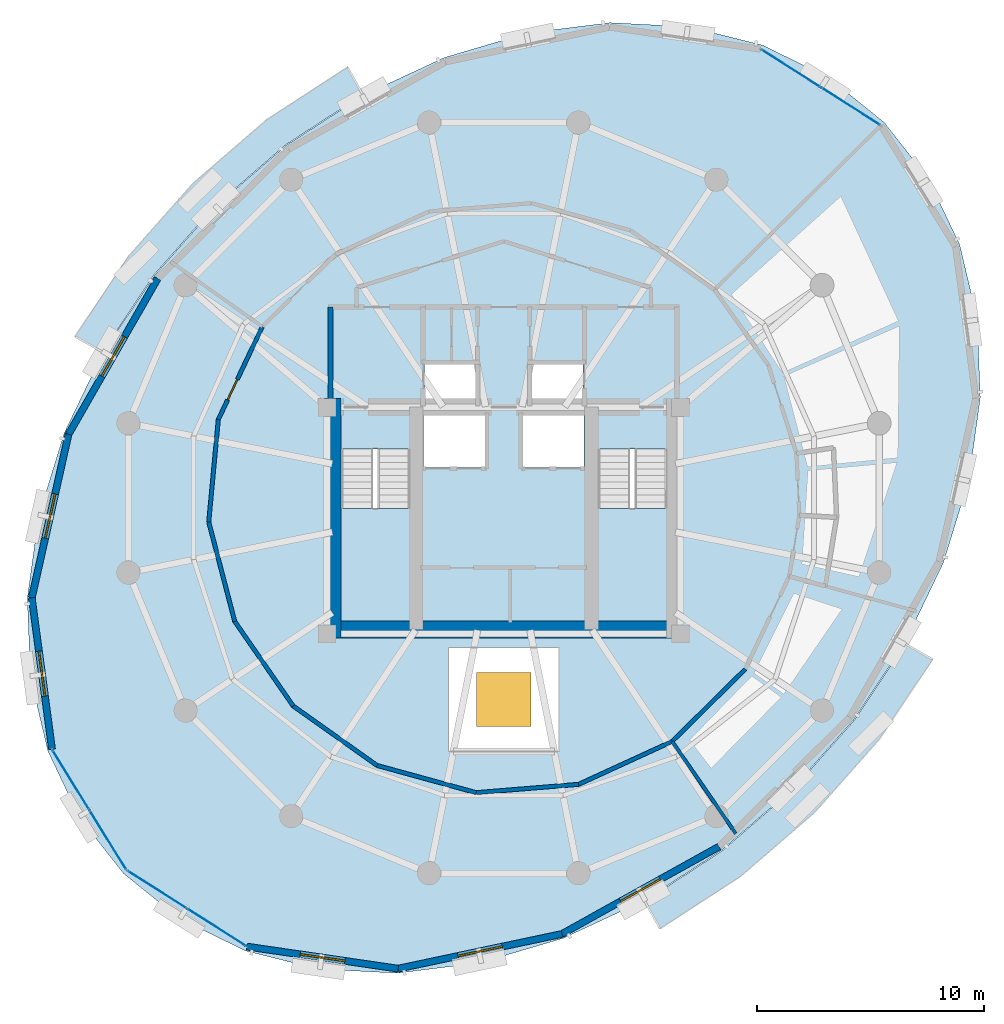
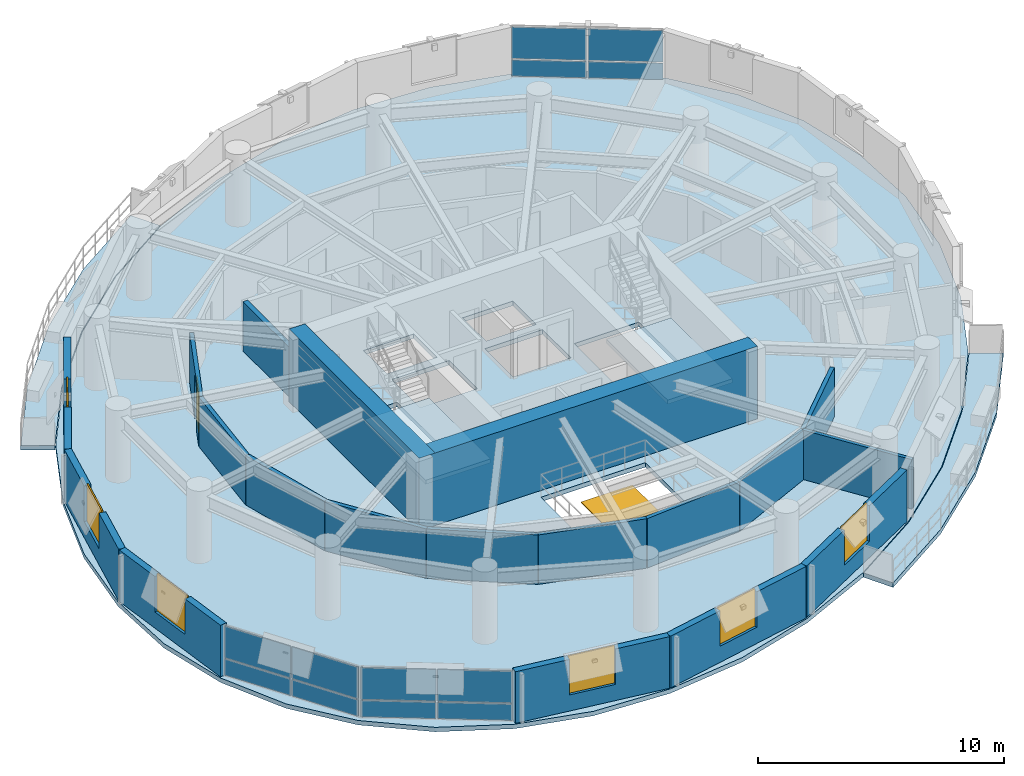
# One storey, part 7 of 12: 19 walls, 12 plates, 7 windows, 5 slabs, 1 door, 8 openings, 5 elements without a shape of their own.
"""IFC4 building model written with IfcOpenShell, lengths in metres."""

from ifc_helpers import new_model, si_unit, direction, frame, frame_2d, origin, origin_2d, place, context, subcontext, project, spatial, polyline, rectangle, outline, extrude, material, layer, layer_set, type_object, element, fill, aggregate, save


model = new_model("IFC4")

# Units and contexts
model_context = context("Model", 3, precision=1e-05, world=origin(), true_north=direction((0.0, 1.0)))
body_context = subcontext(model_context, "Body", "Model", "MODEL_VIEW")
ifc_project = project(units=[si_unit("LENGTHUNIT", "METRE"), si_unit("AREAUNIT", "SQUARE_METRE"), si_unit("VOLUMEUNIT", "CUBIC_METRE"), si_unit("PLANEANGLEUNIT", "RADIAN"), si_unit("MASSUNIT", "GRAM", prefix="KILO"), si_unit("THERMODYNAMICTEMPERATUREUNIT", "KELVIN"), si_unit("POWERUNIT", "WATT")], contexts=[model_context])

# Site, building, storey
site_placement = place(None, origin())
site = spatial("IfcSite", under=ifc_project, at=site_placement, CompositionType="ELEMENT")
building_placement = place(site_placement, origin())
building = spatial("IfcBuilding", under=site, at=building_placement, Name="Ocrelia Relay Tower", CompositionType="ELEMENT")
storey_placement = place(building_placement, frame((0.0, 0.0, 216.800048828125)))
storey = spatial("IfcBuildingStorey", under=building, at=storey_placement, Name="L53", CompositionType="ELEMENT", Elevation=216.800048828125)

# Curtain wall, plates
ifc_material_1 = material(Name="Aluminium and solar-control low-E glass", Category="aluminium")
ifc_layer_1 = layer(ifc_material_1, 0.179931640625, Name="Aluminium and solar-control low-E glass")
ifc_layer_set_1 = layer_set([ifc_layer_1], Name="Aluminium and solar-control low-E glass")
curtain_wall_type = type_object("IfcCurtainWallType", Name="CW-SYS-Z3-CLOU", PredefinedType="NOTDEFINED", material=ifc_layer_set_1)
curtain_wall_1_placement = place(storey_placement, origin())
curtain_wall_1 = element("IfcCurtainWall", 1, at=curtain_wall_1_placement, inside=storey, type_object=curtain_wall_type, Name="L53 Elliptical Tower Curtain Wall Bay 01", PredefinedType="NOTDEFINED")
ifc_material_2 = material(Name="Clear double-glazed low-E glass", Category="glass")
ifc_layer_2 = layer(ifc_material_2, 0.031982421875, Name="Clear double-glazed low-E glass")
ifc_layer_set_2 = layer_set([ifc_layer_2], Name="Clear double-glazed low-E glass")
plate_type = type_object("IfcPlateType", Name="CW-SYS-Z3-CLOU-PNL", PredefinedType="CURTAIN_PANEL", material=ifc_layer_set_2)
plate_1_placement = place(storey_placement, frame((49.306640625, 43.29443359375, 0.059814453125), z_axis=(0.0, 0.0, 1.0), x_axis=(-0.844609167729, 0.535383370855, 0.0)))
plate_1 = element("IfcPlate", 2, at=plate_1_placement, type_object=plate_type, Name="CW-Z3 panel 1.1", PredefinedType="CURTAIN_PANEL", context=body_context, shape_type="SweptSolid", body=[
    extrude(rectangle(XDim=3.0439453125, YDim=0.031982421875, at=origin_2d()), origin(), (0.0, 0.0, 1.0), 0.81005859375),
])
plate_2_placement = place(storey_placement, frame((49.306640625, 43.29443359375, 0.9296875), z_axis=(0.0, 0.0, 1.0), x_axis=(-0.844609167729, 0.535383370855, 0.0)))
plate_2 = element("IfcPlate", 3, at=plate_2_placement, type_object=plate_type, Name="CW-Z3 panel 1.2", PredefinedType="CURTAIN_PANEL", context=body_context, shape_type="SweptSolid", body=[
    extrude(rectangle(XDim=3.0439453125, YDim=0.031982421875, at=origin_2d()), origin(), (0.0, 0.0, 1.0), 1.570068359375),
])
plate_3_placement = place(storey_placement, frame((46.680908203125, 44.958984375, 0.059814453125), z_axis=(0.0, 0.0, 1.0), x_axis=(-0.844609167729, 0.535383370855, 0.0)))
plate_3 = element("IfcPlate", 4, at=plate_3_placement, type_object=plate_type, Name="CW-Z3 panel 2.1", PredefinedType="CURTAIN_PANEL", context=body_context, shape_type="SweptSolid", body=[
    extrude(rectangle(XDim=3.0439453125, YDim=0.031982421875, at=origin_2d()), origin(), (0.0, 0.0, 1.0), 0.81005859375),
])
plate_4_placement = place(storey_placement, frame((46.680908203125, 44.958984375, 0.9296875), z_axis=(0.0, 0.0, 1.0), x_axis=(-0.844609167729, 0.535383370855, 0.0)))
plate_4 = element("IfcPlate", 5, at=plate_4_placement, type_object=plate_type, Name="CW-Z3 panel 2.2", PredefinedType="CURTAIN_PANEL", context=body_context, shape_type="SweptSolid", body=[
    extrude(rectangle(XDim=3.0439453125, YDim=0.031982421875, at=origin_2d()), origin(), (0.0, 0.0, 1.0), 1.570068359375),
])
aggregate(curtain_wall_1, [plate_1, plate_2, plate_3, plate_4])

curtain_wall_2_placement = place(storey_placement, origin())
curtain_wall_2 = element("IfcCurtainWall", 6, at=curtain_wall_2_placement, inside=storey, type_object=curtain_wall_type, Name="L53 Elliptical Tower Curtain Wall Bay 09", PredefinedType="NOTDEFINED")
plate_5_placement = place(storey_placement, frame((14.887451171875, 13.551513671875, 0.059814453125), z_axis=(0.0, 0.0, 1.0), x_axis=(0.525018043545, -0.851091096154, 0.0)))
plate_5 = element("IfcPlate", 7, at=plate_5_placement, type_object=plate_type, Name="CW-Z3 panel 1.1", PredefinedType="CURTAIN_PANEL", context=body_context, shape_type="SweptSolid", body=[
    extrude(rectangle(XDim=3.043701171875, YDim=0.031982421875, at=origin_2d()), origin(), (0.0, 0.0, 1.0), 0.81005859375),
])
plate_6_placement = place(storey_placement, frame((14.887451171875, 13.551513671875, 0.9296875), z_axis=(0.0, 0.0, 1.0), x_axis=(0.525018043545, -0.851091096154, 0.0)))
plate_6 = element("IfcPlate", 8, at=plate_6_placement, type_object=plate_type, Name="CW-Z3 panel 1.2", PredefinedType="CURTAIN_PANEL", context=body_context, shape_type="SweptSolid", body=[
    extrude(rectangle(XDim=3.043701171875, YDim=0.031982421875, at=origin_2d()), origin(), (0.0, 0.0, 1.0), 1.570068359375),
])
plate_7_placement = place(storey_placement, frame((16.519775390625, 10.90576171875, 0.059814453125), z_axis=(0.0, 0.0, 1.0), x_axis=(0.525018043545, -0.851091096154, 0.0)))
plate_7 = element("IfcPlate", 9, at=plate_7_placement, type_object=plate_type, Name="CW-Z3 panel 2.1", PredefinedType="CURTAIN_PANEL", context=body_context, shape_type="SweptSolid", body=[
    extrude(rectangle(XDim=3.043701171875, YDim=0.031982421875, at=origin_2d()), origin(), (0.0, 0.0, 1.0), 0.81005859375),
])
plate_8_placement = place(storey_placement, frame((16.519775390625, 10.90576171875, 0.9296875), z_axis=(0.0, 0.0, 1.0), x_axis=(0.525018043545, -0.851091096154, 0.0)))
plate_8 = element("IfcPlate", 10, at=plate_8_placement, type_object=plate_type, Name="CW-Z3 panel 2.2", PredefinedType="CURTAIN_PANEL", context=body_context, shape_type="SweptSolid", body=[
    extrude(rectangle(XDim=3.043701171875, YDim=0.031982421875, at=origin_2d()), origin(), (0.0, 0.0, 1.0), 1.570068359375),
])
aggregate(curtain_wall_2, [plate_5, plate_6, plate_7, plate_8])

curtain_wall_3_placement = place(storey_placement, origin())
curtain_wall_3 = element("IfcCurtainWall", 11, at=curtain_wall_3_placement, inside=storey, type_object=curtain_wall_type, Name="L53 Elliptical Tower Curtain Wall Bay 10", PredefinedType="NOTDEFINED")
plate_9_placement = place(storey_placement, frame((18.693359375, 8.70556640625, 0.059814453125), z_axis=(0.0, 0.0, 1.0), x_axis=(0.844609167729, -0.535383370855, 0.0)))
plate_9 = element("IfcPlate", 12, at=plate_9_placement, type_object=plate_type, Name="CW-Z3 panel 1.1", PredefinedType="CURTAIN_PANEL", context=body_context, shape_type="SweptSolid", body=[
    extrude(rectangle(XDim=3.0439453125, YDim=0.031982421875, at=origin_2d()), origin(), (0.0, 0.0, 1.0), 0.81005859375),
])
plate_10_placement = place(storey_placement, frame((18.693359375, 8.70556640625, 0.9296875), z_axis=(0.0, 0.0, 1.0), x_axis=(0.844609167729, -0.535383370855, 0.0)))
plate_10 = element("IfcPlate", 13, at=plate_10_placement, type_object=plate_type, Name="CW-Z3 panel 1.2", PredefinedType="CURTAIN_PANEL", context=body_context, shape_type="SweptSolid", body=[
    extrude(rectangle(XDim=3.0439453125, YDim=0.031982421875, at=origin_2d()), origin(), (0.0, 0.0, 1.0), 1.570068359375),
])
plate_11_placement = place(storey_placement, frame((21.319091796875, 7.041015625, 0.059814453125), z_axis=(0.0, 0.0, 1.0), x_axis=(0.844609167729, -0.535383370855, 0.0)))
plate_11 = element("IfcPlate", 14, at=plate_11_placement, type_object=plate_type, Name="CW-Z3 panel 2.1", PredefinedType="CURTAIN_PANEL", context=body_context, shape_type="SweptSolid", body=[
    extrude(rectangle(XDim=3.0439453125, YDim=0.031982421875, at=origin_2d()), origin(), (0.0, 0.0, 1.0), 0.81005859375),
])
plate_12_placement = place(storey_placement, frame((21.319091796875, 7.041015625, 0.9296875), z_axis=(0.0, 0.0, 1.0), x_axis=(0.844609167729, -0.535383370855, 0.0)))
plate_12 = element("IfcPlate", 15, at=plate_12_placement, type_object=plate_type, Name="CW-Z3 panel 2.2", PredefinedType="CURTAIN_PANEL", context=body_context, shape_type="SweptSolid", body=[
    extrude(rectangle(XDim=3.0439453125, YDim=0.031982421875, at=origin_2d()), origin(), (0.0, 0.0, 1.0), 1.570068359375),
])
aggregate(curtain_wall_3, [plate_9, plate_10, plate_11, plate_12])

# Slabs
ifc_material_3 = material(Name="Precast concrete C40/50", Category="concrete")
ifc_layer_3 = layer(ifc_material_3, 0.219970703125, Name="Precast concrete C40/50")
ifc_layer_set_3 = layer_set([ifc_layer_3], Name="Precast concrete C40/50")
slab_type_1 = type_object("IfcSlabType", Name="SL-BALC-220", PredefinedType="FLOOR", material=ifc_layer_set_3)
slab_1_placement = place(storey_placement, frame((0.0, 0.0, -0.219970703125)))
element("IfcSlab", 16, at=slab_1_placement, inside=storey, type_object=slab_type_1, Name="L53 Planted Loggia Balcony B1", PredefinedType="FLOOR", context=body_context, shape_type="SweptSolid", body=[
    extrude(outline(polyline([(27.774658203125, 43.798828125), (26.072509765625, 42.69189453125), (24.370361328125, 41.5849609375), (21.2587890625, 38.89794921875), (18.53369140625, 35.8193359375), (17.40625, 34.130859375), (16.278564453125, 32.4423828125), (15.068115234375, 33.1328125), (16.249267578125, 34.9013671875), (17.430419921875, 36.669921875), (20.279541015625, 39.88916015625), (23.533447265625, 42.69873046875), (25.31640625, 43.858154296875), (27.09912109375, 45.017578125), (27.774658203125, 43.798828125)])), origin(), (0.0, 0.0, 1.0), 0.219970703125),
])
slab_2_placement = place(storey_placement, frame((0.0, 0.0, -0.219970703125)))
element("IfcSlab", 17, at=slab_2_placement, inside=storey, type_object=slab_type_1, Name="L53 Planted Loggia Balcony B2", PredefinedType="FLOOR", context=body_context, shape_type="SweptSolid", body=[
    extrude(outline(polyline([(40.225341796875, 8.201171875), (41.927490234375, 9.30810546875), (43.629638671875, 10.4150390625), (46.7412109375, 13.10205078125), (49.46630859375, 16.1806640625), (50.593994140625, 17.869140625), (51.721435546875, 19.5576171875), (52.931884765625, 18.8671875), (51.750732421875, 17.0986328125), (50.569580078125, 15.330078125), (47.720458984375, 12.11083984375), (44.466552734375, 9.30126953125), (42.683837890625, 8.141845703125), (40.90087890625, 6.982421875), (40.225341796875, 8.201171875)])), origin(), (0.0, 0.0, 1.0), 0.219970703125),
])

# Slab, opening, window
ifc_material_4 = material(Name="Concrete C50/60", Category="concrete")
ifc_layer_4 = layer(ifc_material_4, 0.219970703125, Name="Concrete C50/60")
ifc_layer_set_4 = layer_set([ifc_layer_4], Name="Concrete C50/60")
slab_type_2 = type_object("IfcSlabType", Name="SL-FLR-220", PredefinedType="FLOOR", material=ifc_layer_set_4)
slab_3_placement = place(storey_placement, frame((0.0, 0.0, -0.219970703125)))
slab_3 = element("IfcSlab", 18, at=slab_3_placement, inside=storey, type_object=slab_type_2, Name="L53 Elliptical Tower Floor Slab", PredefinedType="FLOOR", context=body_context, shape_type="SweptSolid", body=[
    extrude(outline(polyline([(50.789306640625, 42.58544921875), (48.325439453125, 44.569580078125), (45.42626953125, 45.9892578125), (42.179931640625, 46.8017578125), (38.68505859375, 46.982177734375), (35.047607421875, 46.52490234375), (31.378662109375, 45.444091796875), (27.789306640625, 43.772705078125), (24.388427734375, 41.56103515625), (21.27978515625, 38.876708984375), (18.5576171875, 35.80078125), (16.3046875, 32.427490234375), (14.58935546875, 28.858642578125), (13.4638671875, 25.203125), (12.962158203125, 21.57177734375), (13.099853515625, 18.07470703125), (13.87255859375, 14.81884765625), (15.2568359375, 11.902587890625), (17.210693359375, 9.41455078125), (19.674560546875, 7.430419921875), (22.57373046875, 6.0107421875), (25.820068359375, 5.1982421875), (29.31494140625, 5.017822265625), (32.952392578125, 5.47509765625), (36.621337890625, 6.555908203125), (40.210693359375, 8.227294921875), (43.611572265625, 10.43896484375), (46.72021484375, 13.123291015625), (49.4423828125, 16.19921875), (51.6953125, 19.572509765625), (53.41064453125, 23.141357421875), (54.5361328125, 26.796875), (55.037841796875, 30.42822265625), (54.900146484375, 33.92529296875), (54.12744140625, 37.18115234375), (52.7431640625, 40.097412109375), (50.789306640625, 42.58544921875)]), holes=[polyline([(26.81005859375, 28.14990234375), (26.81005859375, 20.550048828125), (29.85009765625, 20.550048828125), (29.85009765625, 28.14990234375), (26.81005859375, 28.14990234375)]), polyline([(38.159912109375, 28.14990234375), (38.159912109375, 20.550048828125), (41.199951171875, 20.550048828125), (41.199951171875, 28.14990234375), (38.159912109375, 28.14990234375)]), polyline([(30.4599609375, 27.35009765625), (33.159912109375, 27.35009765625), (33.159912109375, 29.64990234375), (30.4599609375, 29.64990234375), (30.4599609375, 27.35009765625)]), polyline([(34.840087890625, 27.35009765625), (37.5400390625, 27.35009765625), (37.5400390625, 29.64990234375), (34.840087890625, 29.64990234375), (34.840087890625, 27.35009765625)]), polyline([(30.5, 30.10009765625), (32.85009765625, 30.10009765625), (32.85009765625, 32.0), (30.5, 32.0), (30.5, 30.10009765625)]), polyline([(35.14990234375, 30.10009765625), (37.5, 30.10009765625), (37.5, 32.0), (35.14990234375, 32.0), (35.14990234375, 30.10009765625)]), polyline([(31.550048828125, 14.800048828125), (36.449951171875, 14.800048828125), (36.449951171875, 19.39990234375), (31.550048828125, 19.39990234375), (31.550048828125, 14.800048828125)])]), origin(), (0.0, 0.0, 1.0), 0.219970703125),
])
opening_1_placement = place(slab_3_placement, frame((34.0, 17.10009765625, 0.0)))
opening_1 = element("IfcOpeningElement", 19, at=opening_1_placement, cuts=slab_3, Name="Opening WSK-01", PredefinedType="OPENING", context=body_context, shape_type="SweptSolid", body=[
    extrude(rectangle(XDim=2.39990234375, YDim=2.39990234375, at=origin_2d()), frame((0.0, 0.0, -0.010009765625)), (0.0, 0.0, 1.0), 0.239990234375),
])
window_type_1 = type_object("IfcWindowType", Name="WIN-SKY-2400x2400", PartitioningType="SINGLE_PANEL", PredefinedType="SKYLIGHT", material=ifc_material_2)
window_1_placement = place(opening_1_placement, frame((0.0, 0.0, 0.169921875)))
window_1 = element("IfcWindow", 20, at=window_1_placement, inside=storey, type_object=window_type_1, Name="L53 Multi-Zone Interior Atrium Skylight", OverallHeight=2.39990234375, OverallWidth=2.39990234375, PartitioningType="SINGLE_PANEL", PredefinedType="SKYLIGHT", context=body_context, shape_type="SweptSolid", body=[
    extrude(rectangle(XDim=2.39990234375, YDim=2.39990234375, at=origin_2d()), origin(), (0.0, 0.0, 1.0), 0.050048828125),
])
fill(opening_1, window_1)

# Stair, slab
stair_type = type_object("IfcStairType", Name="ST-DL-1420-R180", PredefinedType="HALF_TURN_STAIR", material=ifc_material_4)
stair_1_placement = place(storey_placement, origin())
stair_1 = element("IfcStair", 21, at=stair_1_placement, inside=storey, type_object=stair_type, Name="L53 West Core Exit Stair ST1", PredefinedType="HALF_TURN_STAIR")
ifc_layer_5 = layer(ifc_material_4, 0.199951171875, Name="Concrete C50/60")
ifc_layer_set_5 = layer_set([ifc_layer_5], Name="Concrete C50/60")
slab_type_3 = type_object("IfcSlabType", Name="SL-LANDING-200", PredefinedType="LANDING", material=ifc_layer_set_5)
slab_4_placement = place(storey_placement, frame((0.0, 0.0, 1.599853515625)))
slab_4 = element("IfcSlab", 22, at=slab_4_placement, type_object=slab_type_3, Name="ST1 landing 1", PredefinedType="LANDING", context=body_context, shape_type="SweptSolid", body=[
    extrude(outline(polyline([(26.81005859375, 25.5400390625), (26.81005859375, 20.550048828125), (29.85009765625, 20.550048828125), (29.85009765625, 25.5400390625), (26.81005859375, 25.5400390625)])), origin(), (0.0, 0.0, 1.0), 0.2001953125),
])
aggregate(stair_1, [slab_4])

stair_2_placement = place(storey_placement, origin())
stair_2 = element("IfcStair", 23, at=stair_2_placement, inside=storey, type_object=stair_type, Name="L53 East Core Exit Stair ST2", PredefinedType="HALF_TURN_STAIR")
slab_5_placement = place(storey_placement, frame((0.0, 0.0, 1.599853515625)))
slab_5 = element("IfcSlab", 24, at=slab_5_placement, type_object=slab_type_3, Name="ST2 landing 1", PredefinedType="LANDING", context=body_context, shape_type="SweptSolid", body=[
    extrude(outline(polyline([(38.159912109375, 25.5400390625), (38.159912109375, 20.550048828125), (41.199951171875, 20.550048828125), (41.199951171875, 25.5400390625), (38.159912109375, 25.5400390625)])), origin(), (0.0, 0.0, 1.0), 0.2001953125),
])
aggregate(stair_2, [slab_5])

# Walls
ifc_material_5 = material(Name="Concrete C60/75", Category="concrete")
ifc_layer_6 = layer(ifc_material_5, 0.75, Name="Concrete C60/75")
ifc_layer_set_6 = layer_set([ifc_layer_6], Name="Concrete C60/75")
wall_type_1 = type_object("IfcWallType", Name="CW-CORE-750", PredefinedType="SHEAR", material=ifc_layer_set_6)
wall_1_placement = place(storey_placement, frame((26.072021484375, 20.18701171875, 0.0), z_axis=(0.0, 0.0, 1.0), x_axis=(1.0, 0.0, 0.0)))
element("IfcWall", 25, at=wall_1_placement, inside=storey, type_object=wall_type_1, Name="L53 Core Shear Wall S", PredefinedType="SHEAR", context=body_context, shape_type="SweptSolid", body=[
    extrude(rectangle(XDim=15.865966796875, YDim=0.75, at=frame_2d((7.93310546875, 0.0))), origin(), (0.0, 0.0, 1.0), 3.599853515625),
])
wall_2_placement = place(storey_placement, frame((26.447021484375, 19.81201171875, 0.0), z_axis=(0.0, 0.0, 1.0), x_axis=(0.0, 1.0, 0.0)))
element("IfcWall", 26, at=wall_2_placement, inside=storey, type_object=wall_type_1, Name="L53 Core Shear Wall W", PredefinedType="SHEAR", context=body_context, shape_type="SweptSolid", body=[
    extrude(rectangle(XDim=10.575927734375, YDim=0.75, at=frame_2d((5.2880859375, 0.0))), origin(), (0.0, 0.0, 1.0), 3.599853515625),
])

# Wall, opening, door
ifc_material_6 = material(Name="Gypsum Fireboard Partition EI60", Category="gypsum")
ifc_layer_7 = layer(ifc_material_6, 0.179931640625, Name="Gypsum Fireboard Partition EI60")
ifc_layer_set_7 = layer_set([ifc_layer_7], Name="Gypsum Fireboard Partition EI60")
wall_type_2 = type_object("IfcWallType", Name="W-CORR-EI60-180", PredefinedType="PARTITIONING", material=ifc_layer_set_7)
wall_3_placement = place(storey_placement, frame((23.339599609375, 33.56201171875, 0.0), z_axis=(0.0, 0.0, 1.0), x_axis=(-0.428116399969, -0.903723601594, 0.0)))
wall_3 = element("IfcWall", 27, at=wall_3_placement, inside=storey, type_object=wall_type_2, Name="L53 Executive Dining Room Corridor Partition 1", PredefinedType="PARTITIONING", context=body_context, shape_type="SweptSolid", body=[
    extrude(rectangle(XDim=4.539306640625, YDim=0.179931640625, at=frame_2d((2.26953125, 0.0))), origin(), (0.0, 0.0, 1.0), 2.449951171875),
])
opening_2_placement = place(wall_3_placement, frame((2.579345703125, 0.0, 0.0)))
opening_2 = element("IfcOpeningElement", 28, at=opening_2_placement, cuts=wall_3, Name="Opening D-RM100", PredefinedType="OPENING", context=body_context, shape_type="SweptSolid", body=[
    extrude(rectangle(XDim=1.0, YDim=2.14990234375, at=frame_2d((0.5, 1.074951171875))), frame((0.0, 0.10009765625, 0.0), z_axis=(0.0, -1.0, 0.0), x_axis=(1.0, 0.0, 0.0)), (0.0, 0.0, 1.0), 0.199951171875),
])
ifc_material_7 = material(Name="Acoustic oak veneer fire door", Category="wood")
door_type = type_object("IfcDoorType", Name="DR-ROOM-FD60-1000", OperationType="NOTDEFINED", PredefinedType="DOOR", material=ifc_material_7)
door_placement = place(opening_2_placement, origin())
door = element("IfcDoor", 29, at=door_placement, inside=storey, type_object=door_type, Name="L53 Executive Dining Room Entrance Door", OperationType="SINGLE_SWING_RIGHT", OverallHeight=2.14990234375, OverallWidth=1.0, PredefinedType="DOOR", context=body_context, shape_type="SweptSolid", body=[
    extrude(rectangle(XDim=1.0, YDim=2.14990234375, at=frame_2d((0.5, 1.074951171875))), frame((0.0, 0.02490234375, 0.0), z_axis=(0.0, -1.0, 0.0), x_axis=(1.0, 0.0, 0.0)), (0.0, 0.0, 1.0), 0.050048828125),
])
fill(opening_2, door)

# Walls
wall_4_placement = place(storey_placement, frame((21.396240234375, 29.459716796875, 0.0), z_axis=(0.0, 0.0, 1.0), x_axis=(-0.0932657302, -0.995641252445, 0.0)))
element("IfcWall", 30, at=wall_4_placement, inside=storey, type_object=wall_type_2, Name="L53 Executive Dining Room Corridor Partition 2", PredefinedType="PARTITIONING", context=body_context, shape_type="SweptSolid", body=[
    extrude(rectangle(XDim=4.5390625, YDim=0.179931640625, at=frame_2d((2.26953125, 0.0))), origin(), (0.0, 0.0, 1.0), 2.449951171875),
])
for number, where, z_axis, x_axis, name in (
    (31, (20.972900390625, 24.9404296875, 0.0), (0.0, 0.0, 1.0), (0.252949521, -0.967479477728, 0.0), "L53 Executive Dining Room Corridor Partition 3"),
    (32, (22.12109375, 20.548828125, 0.0), (0.0, 0.0, 1.0), (0.568560939672, -0.822641147694, 0.0), "L53 Executive Dining Room Corridor Partition 4"),
):
    element("IfcWall", number, at=place(storey_placement, frame(where, z_axis=z_axis, x_axis=x_axis)), inside=storey, type_object=wall_type_2, Name=name, PredefinedType="PARTITIONING", context=body_context, shape_type="SweptSolid", body=[
        extrude(rectangle(XDim=4.539306640625, YDim=0.179931640625, at=frame_2d((2.26953125, 0.0))), origin(), (0.0, 0.0, 1.0), 2.449951171875),
    ])
wall_5_placement = place(storey_placement, frame((24.701904296875, 16.814697265625, 0.0), z_axis=(0.0, 0.0, 1.0), x_axis=(0.815622593255, -0.578584294094, 0.0)))
element("IfcWall", 33, at=wall_5_placement, inside=storey, type_object=wall_type_2, Name="L53 Executive Dining Room Corridor Partition 5", PredefinedType="PARTITIONING", context=body_context, shape_type="SweptSolid", body=[
    extrude(rectangle(XDim=4.5390625, YDim=0.179931640625, at=frame_2d((2.26953125, 0.0))), origin(), (0.0, 0.0, 1.0), 2.449951171875),
])
wall_6_placement = place(storey_placement, frame((28.404052734375, 14.1884765625, 0.0), z_axis=(0.0, 0.0, 1.0), x_axis=(0.96432560951, -0.264718943113, 0.0)))
element("IfcWall", 34, at=wall_6_placement, inside=storey, type_object=wall_type_2, Name="L53 Executive Dining Room Corridor Partition 6", PredefinedType="PARTITIONING", context=body_context, shape_type="SweptSolid", body=[
    extrude(rectangle(XDim=4.539306640625, YDim=0.179931640625, at=frame_2d((2.26953125, 0.0))), origin(), (0.0, 0.0, 1.0), 2.449951171875),
])
for number, where, z_axis, x_axis, name in (
    (35, (32.781494140625, 12.98681640625, 0.0), (0.0, 0.0, 1.0), (0.996705234629, 0.081109033178, 0.0), "L53 Executive Dining Room Corridor Partition 7"),
    (36, (37.3056640625, 13.35498046875, 0.0), (0.0, 0.0, 1.0), (0.908879683918, 0.417058413368, 0.0), "L53 Executive Dining Room Corridor Partition 8"),
    (37, (41.43115234375, 15.248046875, 0.0), (0.0, 0.0, 1.0), (0.711423272881, 0.702763777384, 0.0), "L53 Staff Wellness Room Corridor Partition 1"),
):
    element("IfcWall", number, at=place(storey_placement, frame(where, z_axis=z_axis, x_axis=x_axis)), inside=storey, type_object=wall_type_2, Name=name, PredefinedType="PARTITIONING", context=body_context, shape_type="SweptSolid", body=[
        extrude(rectangle(XDim=4.5390625, YDim=0.179931640625, at=frame_2d((2.26953125, 0.0))), origin(), (0.0, 0.0, 1.0), 2.449951171875),
    ])

# Wall, opening, window
ifc_material_8 = material(Name="Precast concrete C40/50 with oxide terracotta", Category="masonry")
ifc_layer_8 = layer(ifc_material_8, 0.300048828125, Name="Precast concrete C40/50 with oxide terracotta")
ifc_layer_set_8 = layer_set([ifc_layer_8], Name="Precast concrete C40/50 with oxide terracotta")
wall_type_3 = type_object("IfcWallType", Name="W-EXT-TERR-300", PredefinedType="SOLIDWALL", material=ifc_layer_set_8)
wall_7_placement = place(storey_placement, frame((18.720703125, 35.685302734375, 0.0), z_axis=(0.0, 0.0, 1.0), x_axis=(-0.496841929848, -0.867841055001, 0.0)))
wall_7 = element("IfcWall", 38, at=wall_7_placement, inside=storey, type_object=wall_type_3, Name="L53 Oxide Terracotta Facade Wall 06", PredefinedType="SOLIDWALL", context=body_context, shape_type="SweptSolid", body=[
    extrude(rectangle(XDim=7.927001953125, YDim=0.300048828125, at=frame_2d((3.96337890625, 0.0))), origin(), (0.0, 0.0, 1.0), 2.56005859375),
])
opening_3_placement = place(wall_7_placement, frame((2.964111328125, 0.0, 0.800048828125)))
opening_3 = element("IfcOpeningElement", 39, at=opening_3_placement, cuts=wall_7, Name="Opening W-03", PredefinedType="OPENING", context=body_context, shape_type="SweptSolid", body=[
    extrude(rectangle(XDim=2.0, YDim=1.85009765625, at=frame_2d((1.0, 0.925048828125))), frame((0.0, 0.16015625, 0.0), z_axis=(0.0, -1.0, 0.0), x_axis=(1.0, 0.0, 0.0)), (0.0, 0.0, 1.0), 0.320068359375),
])
window_type_2 = type_object("IfcWindowType", Name="WIN-Z3-2000x2200", PartitioningType="DOUBLE_PANEL_VERTICAL", PredefinedType="WINDOW", material=ifc_material_2)
window_2_placement = place(opening_3_placement, origin())
window_2 = element("IfcWindow", 40, at=window_2_placement, inside=storey, type_object=window_type_2, Name="L53 Facade Module Window 06", OverallHeight=1.85009765625, OverallWidth=2.0, PartitioningType="SINGLE_PANEL", PredefinedType="WINDOW", context=body_context, shape_type="SweptSolid", body=[
    extrude(rectangle(XDim=2.0, YDim=1.85009765625, at=frame_2d((1.0, 0.925048828125))), frame((0.0, 0.030029296875, 0.0), z_axis=(0.0, -1.0, 0.0), x_axis=(1.0, 0.0, 0.0)), (0.0, 0.0, 1.0), 0.06005859375),
])
fill(opening_3, window_2)

wall_8_placement = place(storey_placement, frame((14.7822265625, 28.805908203125, 0.0), z_axis=(0.0, 0.0, 1.0), x_axis=(-0.219068478611, -0.975709486312, 0.0)))
wall_8 = element("IfcWall", 41, at=wall_8_placement, inside=storey, type_object=wall_type_3, Name="L53 Oxide Terracotta Facade Wall 07", PredefinedType="SOLIDWALL", context=body_context, shape_type="SweptSolid", body=[
    extrude(rectangle(XDim=7.397705078125, YDim=0.300048828125, at=frame_2d((3.69873046875, 0.0))), origin(), (0.0, 0.0, 1.0), 2.56005859375),
])
opening_4_placement = place(wall_8_placement, frame((2.698974609375, 0.0, 0.800048828125)))
opening_4 = element("IfcOpeningElement", 42, at=opening_4_placement, cuts=wall_8, Name="Opening W-03", PredefinedType="OPENING", context=body_context, shape_type="SweptSolid", body=[
    extrude(rectangle(XDim=2.0, YDim=1.85009765625, at=frame_2d((1.0, 0.925048828125))), frame((0.0, 0.16015625, 0.0), z_axis=(0.0, -1.0, 0.0), x_axis=(1.0, 0.0, 0.0)), (0.0, 0.0, 1.0), 0.320068359375),
])
window_3_placement = place(opening_4_placement, origin())
window_3 = element("IfcWindow", 43, at=window_3_placement, inside=storey, type_object=window_type_2, Name="L53 Facade Module Window 07", OverallHeight=1.85009765625, OverallWidth=2.0, PartitioningType="SINGLE_PANEL", PredefinedType="WINDOW", context=body_context, shape_type="SweptSolid", body=[
    extrude(rectangle(XDim=2.0, YDim=1.85009765625, at=frame_2d((1.0, 0.925048828125))), frame((0.0, 0.030029296875, 0.0), z_axis=(0.0, -1.0, 0.0), x_axis=(1.0, 0.0, 0.0)), (0.0, 0.0, 1.0), 0.06005859375),
])
fill(opening_4, window_3)

wall_9_placement = place(storey_placement, frame((13.16162109375, 21.587890625, 0.0), z_axis=(0.0, 0.0, 1.0), x_axis=(0.13236523993, -0.991201010521, 0.0)))
wall_9 = element("IfcWall", 44, at=wall_9_placement, inside=storey, type_object=wall_type_3, Name="L53 Oxide Terracotta Facade Wall 08", PredefinedType="SOLIDWALL", context=body_context, shape_type="SweptSolid", body=[
    extrude(rectangle(XDim=6.7451171875, YDim=0.300048828125, at=frame_2d((3.37255859375, 0.0))), origin(), (0.0, 0.0, 1.0), 2.56005859375),
])
opening_5_placement = place(wall_9_placement, frame((2.373046875, 0.0, 0.800048828125)))
opening_5 = element("IfcOpeningElement", 45, at=opening_5_placement, cuts=wall_9, Name="Opening W-03", PredefinedType="OPENING", context=body_context, shape_type="SweptSolid", body=[
    extrude(rectangle(XDim=2.0, YDim=1.85009765625, at=frame_2d((1.0, 0.925048828125))), frame((0.0, 0.16015625, 0.0), z_axis=(0.0, -1.0, 0.0), x_axis=(1.0, 0.0, 0.0)), (0.0, 0.0, 1.0), 0.320068359375),
])
window_4_placement = place(opening_5_placement, origin())
window_4 = element("IfcWindow", 46, at=window_4_placement, inside=storey, type_object=window_type_2, Name="L53 Facade Module Window 08", OverallHeight=1.85009765625, OverallWidth=2.0, PartitioningType="SINGLE_PANEL", PredefinedType="WINDOW", context=body_context, shape_type="SweptSolid", body=[
    extrude(rectangle(XDim=2.0, YDim=1.85009765625, at=frame_2d((1.0, 0.925048828125))), frame((0.0, 0.030029296875, 0.0), z_axis=(0.0, -1.0, 0.0), x_axis=(1.0, 0.0, 0.0)), (0.0, 0.0, 1.0), 0.06005859375),
])
fill(opening_5, window_4)

wall_10_placement = place(storey_placement, frame((22.659423828125, 6.19140625, 0.0), z_axis=(0.0, 0.0, 1.0), x_axis=(0.989511218711, -0.144456041915, 0.0)))
wall_10 = element("IfcWall", 47, at=wall_10_placement, inside=storey, type_object=wall_type_3, Name="L53 Oxide Terracotta Facade Wall 11", PredefinedType="SOLIDWALL", context=body_context, shape_type="SweptSolid", body=[
    extrude(rectangle(XDim=6.7451171875, YDim=0.300048828125, at=frame_2d((3.37255859375, 0.0))), origin(), (0.0, 0.0, 1.0), 2.56005859375),
])
opening_6_placement = place(wall_10_placement, frame((2.373046875, 0.0, 0.800048828125)))
opening_6 = element("IfcOpeningElement", 48, at=opening_6_placement, cuts=wall_10, Name="Opening W-03", PredefinedType="OPENING", context=body_context, shape_type="SweptSolid", body=[
    extrude(rectangle(XDim=2.0, YDim=1.85009765625, at=frame_2d((1.0, 0.925048828125))), frame((0.0, 0.16015625, 0.0), z_axis=(0.0, -1.0, 0.0), x_axis=(1.0, 0.0, 0.0)), (0.0, 0.0, 1.0), 0.320068359375),
])
window_5_placement = place(opening_6_placement, origin())
window_5 = element("IfcWindow", 49, at=window_5_placement, inside=storey, type_object=window_type_2, Name="L53 Facade Module Window 11", OverallHeight=1.85009765625, OverallWidth=2.0, PartitioningType="SINGLE_PANEL", PredefinedType="WINDOW", context=body_context, shape_type="SweptSolid", body=[
    extrude(rectangle(XDim=2.0, YDim=1.85009765625, at=frame_2d((1.0, 0.925048828125))), frame((0.0, 0.030029296875, 0.0), z_axis=(0.0, -1.0, 0.0), x_axis=(1.0, 0.0, 0.0)), (0.0, 0.0, 1.0), 0.06005859375),
])
fill(opening_6, window_5)

wall_11_placement = place(storey_placement, frame((29.333740234375, 5.217041015625, 0.0), z_axis=(0.0, 0.0, 1.0), x_axis=(0.978313834697, 0.207128078351, 0.0)))
wall_11 = element("IfcWall", 50, at=wall_11_placement, inside=storey, type_object=wall_type_3, Name="L53 Oxide Terracotta Facade Wall 12", PredefinedType="SOLIDWALL", context=body_context, shape_type="SweptSolid", body=[
    extrude(rectangle(XDim=7.3974609375, YDim=0.300048828125, at=frame_2d((3.69873046875, 0.0))), origin(), (0.0, 0.0, 1.0), 2.56005859375),
])
opening_7_placement = place(wall_11_placement, frame((2.698974609375, 0.0, 0.800048828125)))
opening_7 = element("IfcOpeningElement", 51, at=opening_7_placement, cuts=wall_11, Name="Opening W-03", PredefinedType="OPENING", context=body_context, shape_type="SweptSolid", body=[
    extrude(rectangle(XDim=2.0, YDim=1.85009765625, at=frame_2d((1.0, 0.925048828125))), frame((0.0, 0.16015625, 0.0), z_axis=(0.0, -1.0, 0.0), x_axis=(1.0, 0.0, 0.0)), (0.0, 0.0, 1.0), 0.320068359375),
])
window_6_placement = place(opening_7_placement, origin())
window_6 = element("IfcWindow", 52, at=window_6_placement, inside=storey, type_object=window_type_2, Name="L53 Facade Module Window 12", OverallHeight=1.85009765625, OverallWidth=2.0, PartitioningType="SINGLE_PANEL", PredefinedType="WINDOW", context=body_context, shape_type="SweptSolid", body=[
    extrude(rectangle(XDim=2.0, YDim=1.85009765625, at=frame_2d((1.0, 0.925048828125))), frame((0.0, 0.030029296875, 0.0), z_axis=(0.0, -1.0, 0.0), x_axis=(1.0, 0.0, 0.0)), (0.0, 0.0, 1.0), 0.06005859375),
])
fill(opening_7, window_6)

wall_12_placement = place(storey_placement, frame((36.57080078125, 6.749267578125, 0.0), z_axis=(0.0, 0.0, 1.0), x_axis=(0.873840390665, 0.486212887161, 0.0)))
wall_12 = element("IfcWall", 53, at=wall_12_placement, inside=storey, type_object=wall_type_3, Name="L53 Oxide Terracotta Facade Wall 13", PredefinedType="SOLIDWALL", context=body_context, shape_type="SweptSolid", body=[
    extrude(rectangle(XDim=7.927001953125, YDim=0.300048828125, at=frame_2d((3.96337890625, 0.0))), origin(), (0.0, 0.0, 1.0), 2.56005859375),
])
opening_8_placement = place(wall_12_placement, frame((2.964111328125, 0.0, 0.800048828125)))
opening_8 = element("IfcOpeningElement", 54, at=opening_8_placement, cuts=wall_12, Name="Opening W-03", PredefinedType="OPENING", context=body_context, shape_type="SweptSolid", body=[
    extrude(rectangle(XDim=2.0, YDim=1.85009765625, at=frame_2d((1.0, 0.925048828125))), frame((0.0, 0.16015625, 0.0), z_axis=(0.0, -1.0, 0.0), x_axis=(1.0, 0.0, 0.0)), (0.0, 0.0, 1.0), 0.320068359375),
])
window_7_placement = place(opening_8_placement, origin())
window_7 = element("IfcWindow", 55, at=window_7_placement, inside=storey, type_object=window_type_2, Name="L53 Facade Module Window 13", OverallHeight=1.85009765625, OverallWidth=2.0, PartitioningType="SINGLE_PANEL", PredefinedType="WINDOW", context=body_context, shape_type="SweptSolid", body=[
    extrude(rectangle(XDim=2.0, YDim=1.85009765625, at=frame_2d((1.0, 0.925048828125))), frame((0.0, 0.030029296875, 0.0), z_axis=(0.0, -1.0, 0.0), x_axis=(1.0, 0.0, 0.0)), (0.0, 0.0, 1.0), 0.06005859375),
])
fill(opening_8, window_7)

# Walls
ifc_layer_9 = layer(ifc_material_4, 0.219970703125, Name="Concrete C50/60")
ifc_layer_set_9 = layer_set([ifc_layer_9], Name="Concrete C50/60")
wall_type_4 = type_object("IfcWallType", Name="W-FFL-EI120-220", PredefinedType="SOLIDWALL", material=ifc_layer_set_9)
wall_13_placement = place(storey_placement, frame((26.35009765625, 30.050048828125, 0.0), z_axis=(0.0, 0.0, 1.0), x_axis=(0.0, 1.0, 0.0)))
element("IfcWall", 56, at=wall_13_placement, inside=storey, type_object=wall_type_4, Name="L53 W Fire Service Lift Lobby West Wall", PredefinedType="SOLIDWALL", context=body_context, shape_type="SweptSolid", body=[
    extrude(rectangle(XDim=4.3798828125, YDim=0.219970703125, at=frame_2d((2.18994140625, 0.0))), origin(), (0.0, 0.0, 1.0), 2.449951171875),
])
ifc_material_9 = material(Name="Acoustic Fireboard Partition EI60", Category="gypsum")
ifc_layer_10 = layer(ifc_material_9, 0.14990234375, Name="Acoustic Fireboard Partition EI60")
ifc_layer_set_10 = layer_set([ifc_layer_10], Name="Acoustic Fireboard Partition EI60")
wall_type_5 = type_object("IfcWallType", Name="W-PART-150", PredefinedType="PARTITIONING", material=ifc_layer_set_10)
wall_14_placement = place(storey_placement, frame((41.43115234375, 15.248046875, 0.0), z_axis=(0.0, 0.0, 1.0), x_axis=(0.568562556887, -0.822640029968, 0.0)))
element("IfcWall", 57, at=wall_14_placement, inside=storey, type_object=wall_type_5, Name="L53 Executive Dining Room Radial Partition", PredefinedType="PARTITIONING", context=body_context, shape_type="SweptSolid", body=[
    extrude(rectangle(XDim=4.94287109375, YDim=0.14990234375, at=frame_2d((2.471435546875, 0.0))), origin(), (0.0, 0.0, 1.0), 2.449951171875),
])

save(model, "model.ifc")
